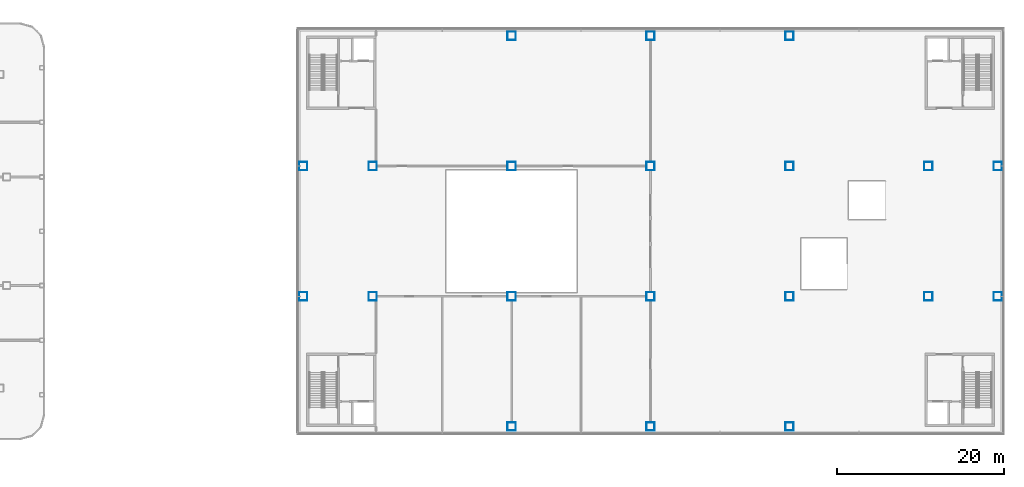
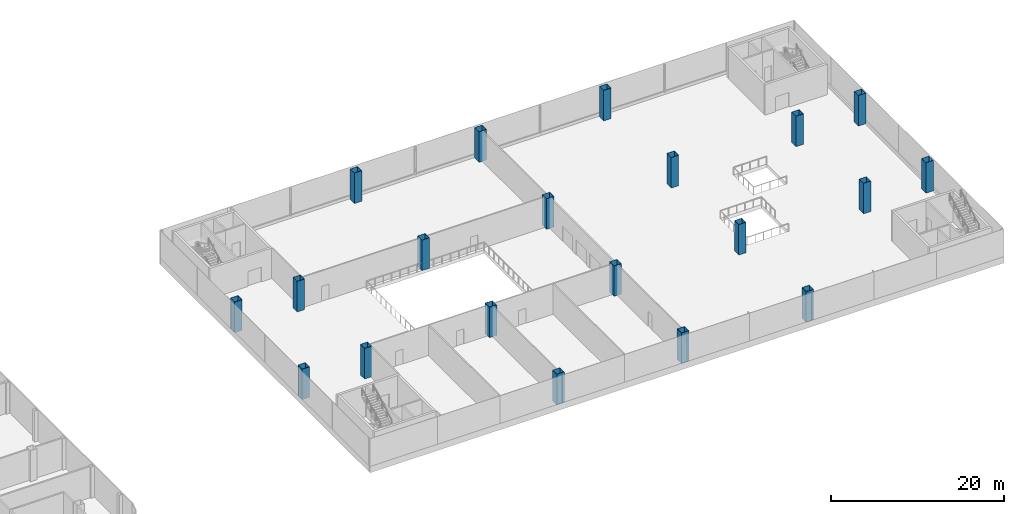
# One storey, part 5 of 53: 20 columns.
"""IFC4 building model written with IfcOpenShell, lengths in metres."""

from ifc_helpers import new_model, si_unit, direction, frame, origin, origin_2d, place, context, subcontext, project, spatial, hollow_rectangle, extrude, material, material_profile, profile_set, type_object, element, save


model = new_model("IFC4")

# Units and contexts
model_context = context("Model", 3, precision=1e-05, world=origin(), true_north=direction((0.0, 1.0)))
body_context = subcontext(model_context, "Body", "Model", "MODEL_VIEW")
ifc_project = project(units=[si_unit("LENGTHUNIT", "METRE"), si_unit("AREAUNIT", "SQUARE_METRE"), si_unit("VOLUMEUNIT", "CUBIC_METRE"), si_unit("PLANEANGLEUNIT", "RADIAN"), si_unit("MASSUNIT", "GRAM", prefix="KILO")], contexts=[model_context])

# Site, building, storey
site_placement = place(None, origin())
site = spatial("IfcSite", under=ifc_project, at=site_placement, CompositionType="ELEMENT")
building_placement = place(site_placement, origin())
building = spatial("IfcBuilding", under=site, at=building_placement, Name="Hakoniwa Tower and Hamabe Station Hall", CompositionType="ELEMENT")
storey_placement = place(building_placement, frame((0.0, 0.0, 15.0)))
storey = spatial("IfcBuildingStorey", under=building, at=storey_placement, Name="L03", CompositionType="ELEMENT", Elevation=15.0)

# Columns
ifc_material = material(Name="Steel BCP325", Category="steel")
ifc_material_profile = material_profile(ifc_material, hollow_rectangle(XDim=1.0, YDim=1.0, WallThickness=0.030029296875, at=origin_2d()), Name="STATION BOX COLUMN 1000X1000X30")
ifc_profile_set = profile_set([ifc_material_profile], Name="Steel BCP325")
column_type = type_object("IfcColumnType", Name="STATION BOX COLUMN 1000X1000X30", PredefinedType="COLUMN", material=ifc_profile_set)
for number, where, z_axis, x_axis, name in (
    (1, (85.949951171875, -7.800048828125, 0.0), (0.0, 0.0, 1.0), (1.0, 0.0, 0.0), "Station column S1C"),
    (2, (85.949951171875, 7.800048828125, 0.0), (0.0, 0.0, 1.0), (1.0, 0.0, 0.0), "Station column S1E"),
    (3, (94.27001953125, -7.800048828125, 0.0), (0.0, 0.0, 1.0), (1.0, 0.0, 0.0), "Station column S2C"),
    (4, (94.27001953125, 7.800048828125, 0.0), (0.0, 0.0, 1.0), (1.0, 0.0, 0.0), "Station column S2E"),
    (5, (110.909912109375, -23.39990234375, 0.0), (0.0, 0.0, 1.0), (1.0, 0.0, 0.0), "Station column S4A"),
    (6, (110.909912109375, -7.800048828125, 0.0), (0.0, 0.0, 1.0), (1.0, 0.0, 0.0), "Station column S4C"),
    (7, (110.909912109375, 7.800048828125, 0.0), (0.0, 0.0, 1.0), (1.0, 0.0, 0.0), "Station column S4E"),
    (8, (110.909912109375, 23.39990234375, 0.0), (0.0, 0.0, 1.0), (1.0, 0.0, 0.0), "Station column S4G"),
    (9, (127.550048828125, -23.39990234375, 0.0), (0.0, 0.0, 1.0), (1.0, 0.0, 0.0), "Station column S6A"),
    (10, (127.550048828125, -7.800048828125, 0.0), (0.0, 0.0, 1.0), (1.0, 0.0, 0.0), "Station column S6C"),
    (11, (127.550048828125, 7.800048828125, 0.0), (0.0, 0.0, 1.0), (1.0, 0.0, 0.0), "Station column S6E"),
    (12, (127.550048828125, 23.39990234375, 0.0), (0.0, 0.0, 1.0), (1.0, 0.0, 0.0), "Station column S6G"),
    (13, (144.18994140625, -23.39990234375, 0.0), (0.0, 0.0, 1.0), (1.0, 0.0, 0.0), "Station column S8A"),
    (14, (144.18994140625, -7.800048828125, 0.0), (0.0, 0.0, 1.0), (1.0, 0.0, 0.0), "Station column S8C"),
    (15, (144.18994140625, 7.800048828125, 0.0), (0.0, 0.0, 1.0), (1.0, 0.0, 0.0), "Station column S8E"),
    (16, (144.18994140625, 23.39990234375, 0.0), (0.0, 0.0, 1.0), (1.0, 0.0, 0.0), "Station column S8G"),
    (17, (160.830078125, -7.800048828125, 0.0), (0.0, 0.0, 1.0), (1.0, 0.0, 0.0), "Station column S10C"),
    (18, (160.830078125, 7.800048828125, 0.0), (0.0, 0.0, 1.0), (1.0, 0.0, 0.0), "Station column S10E"),
    (19, (169.14990234375, -7.800048828125, 0.0), (0.0, 0.0, 1.0), (1.0, 0.0, 0.0), "Station column S11C"),
    (20, (169.14990234375, 7.800048828125, 0.0), (0.0, 0.0, 1.0), (1.0, 0.0, 0.0), "Station column S11E"),
):
    element("IfcColumn", number, at=place(storey_placement, frame(where, z_axis=z_axis, x_axis=x_axis)), inside=storey, type_object=column_type, Name=name, PredefinedType="COLUMN", context=body_context, shape_type="SweptSolid", body=[
        extrude(hollow_rectangle(XDim=1.0, YDim=1.0, WallThickness=0.030029296875, at=origin_2d()), origin(), (0.0, 0.0, 1.0), 4.300048828125),
    ])

save(model, "model.ifc")
